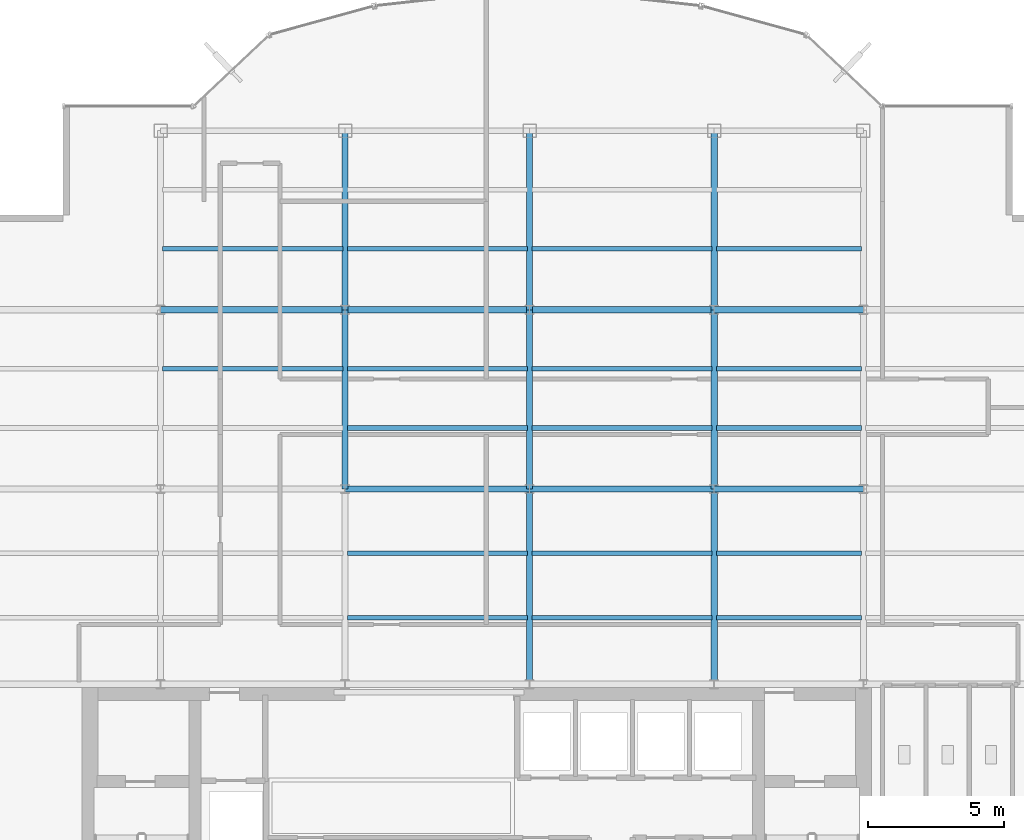
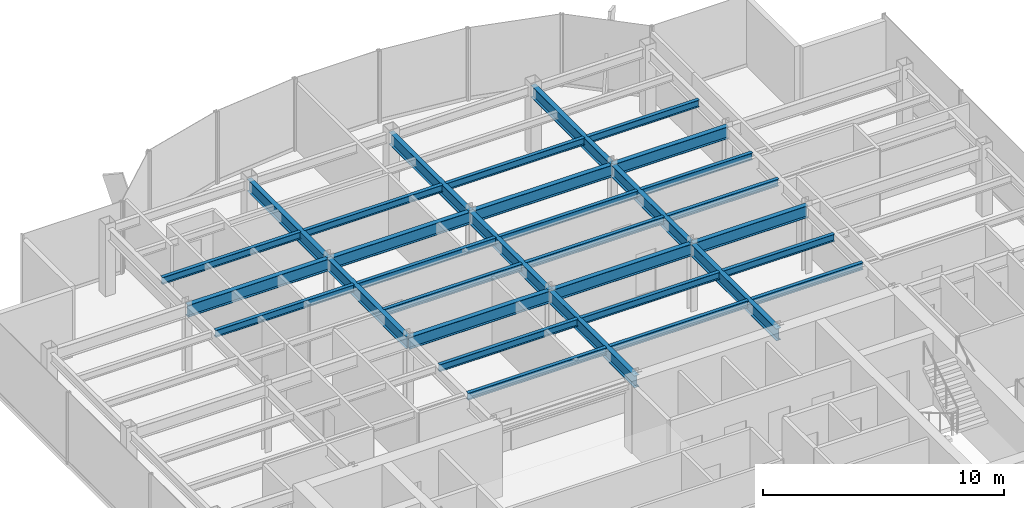
# One storey, part 8 of 22: 32 beams.
"""IFC4 building model written with IfcOpenShell, lengths in metres."""

from ifc_helpers import new_model, si_unit, derived_unit, direction, frame, origin, origin_2d, place, context, subcontext, project, spatial, i_section, extrude, source, transform, mapped, material, material_profile, profile_set, type_object, element, save


model = new_model("IFC4")

# Units and contexts
model_context = context("Model", 3, precision=1e-05, world=origin(), true_north=direction((0.0, 1.0)))
body_context = subcontext(model_context, "Body", "Model", "MODEL_VIEW")
ifc_project = project(units=[si_unit("LENGTHUNIT", "METRE"), si_unit("AREAUNIT", "SQUARE_METRE"), si_unit("VOLUMEUNIT", "CUBIC_METRE"), si_unit("PLANEANGLEUNIT", "RADIAN"), si_unit("MASSUNIT", "GRAM", prefix="KILO"), derived_unit("THERMALTRANSMITTANCEUNIT", [(si_unit("POWERUNIT", "WATT"), 1), (si_unit("LENGTHUNIT", "METRE"), -2), (si_unit("THERMODYNAMICTEMPERATUREUNIT", "KELVIN"), -1)])], contexts=[model_context])

# Site, building, storey
site_placement = place(None, origin())
site = spatial("IfcSite", under=ifc_project, at=site_placement, CompositionType="ELEMENT")
building_placement = place(site_placement, origin())
building = spatial("IfcBuilding", under=site, at=building_placement, Name="Skarnbrae Concourse Arena and Tower", CompositionType="ELEMENT")
storey_placement = place(building_placement, frame((0.0, 0.0, 210.5)))
storey = spatial("IfcBuildingStorey", under=building, at=storey_placement, Name="L54", CompositionType="ELEMENT", Elevation=210.5)

# Beams
ifc_material = material(Name="Steel CSA G40.21 350W", Category="steel")
ifc_material_profile_1 = material_profile(ifc_material, i_section(OverallWidth=0.22802734375, OverallDepth=0.60791015625, WebThickness=0.01123046875, FlangeThickness=0.017333984375, at=origin_2d()), Name="W610X113")
ifc_profile_set_1 = profile_set([ifc_material_profile_1], Name="Steel CSA G40.21 350W")
beam_type_1 = type_object("IfcBeamType", Name="BM-GIRD-W610X113", PredefinedType="BEAM", material=ifc_profile_set_1)
shared_shape_1 = source(origin(), body_context, "Body", "SweptSolid", [
    extrude(i_section(OverallWidth=0.22802734375, OverallDepth=0.60791015625, WebThickness=0.01123046875, FlangeThickness=0.017333984375, at=origin_2d()), origin(), (0.0, 0.0, 1.0), 6.60009765625),
])
for number, where, z_axis, x_axis, name in (
    (1, (14.39990234375, 21.199951171875, 3.095947265625), (0.0, 1.0, 0.0), (-1.0, 0.0, 0.0), "L54 Primary N-S girder X14.4-2"),
    (2, (21.199951171875, 21.199951171875, 3.095947265625), (0.0, 1.0, 0.0), (-1.0, 0.0, 0.0), "L54 Primary N-S girder X21.2-2"),
    (3, (28.0, 21.199951171875, 3.095947265625), (0.0, 1.0, 0.0), (-1.0, 0.0, 0.0), "L54 Primary N-S girder X28.0-2"),
):
    element("IfcBeam", number, at=place(storey_placement, frame(where, z_axis=z_axis, x_axis=x_axis)), inside=storey, type_object=beam_type_1, Name=name, PredefinedType="BEAM", context=body_context, shape_type="MappedRepresentation", body=[
        mapped(shared_shape_1, transform((0.0, 0.0, 0.0))),
    ])
shared_shape_2 = source(origin(), body_context, "Body", "SweptSolid", [
    extrude(i_section(OverallWidth=0.22802734375, OverallDepth=0.60791015625, WebThickness=0.01123046875, FlangeThickness=0.017333984375, at=origin_2d()), origin(), (0.0, 0.0, 1.0), 6.7998046875),
])
beam_placement = place(storey_placement, frame((7.60009765625, 27.800048828125, 3.095947265625), z_axis=(1.0, 0.0, 0.0), x_axis=(0.0, 1.0, 0.0)))
element("IfcBeam", 4, at=beam_placement, inside=storey, type_object=beam_type_1, Name="L54 Primary E-W girder Y27.8-2", PredefinedType="BEAM", context=body_context, shape_type="MappedRepresentation", body=[
    mapped(shared_shape_2, transform((0.0, 0.0, 0.0))),
])
shared_shape_3 = source(origin(), body_context, "Body", "SweptSolid", [
    extrude(i_section(OverallWidth=0.22802734375, OverallDepth=0.60791015625, WebThickness=0.01123046875, FlangeThickness=0.017333984375, at=origin_2d()), origin(), (0.0, 0.0, 1.0), 6.800048828125),
])
for number, where, z_axis, x_axis, name in (
    (5, (14.39990234375, 21.199951171875, 3.095947265625), (1.0, 0.0, 0.0), (0.0, 1.0, 0.0), "L54 Primary E-W girder Y21.2-3"),
    (6, (21.199951171875, 21.199951171875, 3.095947265625), (1.0, 0.0, 0.0), (0.0, 1.0, 0.0), "L54 Primary E-W girder Y21.2-4"),
    (7, (14.39990234375, 27.800048828125, 3.095947265625), (1.0, 0.0, 0.0), (0.0, 1.0, 0.0), "L54 Primary E-W girder Y27.8-3"),
    (8, (21.199951171875, 27.800048828125, 3.095947265625), (1.0, 0.0, 0.0), (0.0, 1.0, 0.0), "L54 Primary E-W girder Y27.8-4"),
):
    element("IfcBeam", number, at=place(storey_placement, frame(where, z_axis=z_axis, x_axis=x_axis)), inside=storey, type_object=beam_type_1, Name=name, PredefinedType="BEAM", context=body_context, shape_type="MappedRepresentation", body=[
        mapped(shared_shape_3, transform((0.0, 0.0, 0.0))),
    ])
shared_shape_4 = source(origin(), body_context, "Body", "SweptSolid", [
    extrude(i_section(OverallWidth=0.22802734375, OverallDepth=0.60791015625, WebThickness=0.01123046875, FlangeThickness=0.017333984375, at=origin_2d()), origin(), (0.0, 0.0, 1.0), 5.5),
])
for number, where, z_axis, x_axis, name in (
    (9, (28.0, 21.199951171875, 3.095947265625), (1.0, 0.0, 0.0), (0.0, 1.0, 0.0), "L54 Primary E-W girder Y21.2-5"),
    (10, (28.0, 27.800048828125, 3.095947265625), (1.0, 0.0, 0.0), (0.0, 1.0, 0.0), "L54 Primary E-W girder Y27.8-5"),
):
    element("IfcBeam", number, at=place(storey_placement, frame(where, z_axis=z_axis, x_axis=x_axis)), inside=storey, type_object=beam_type_1, Name=name, PredefinedType="BEAM", context=body_context, shape_type="MappedRepresentation", body=[
        mapped(shared_shape_4, transform((0.0, 0.0, 0.0))),
    ])
shared_shape_5 = source(origin(), body_context, "Body", "SweptSolid", [
    extrude(i_section(OverallWidth=0.22802734375, OverallDepth=0.60791015625, WebThickness=0.01123046875, FlangeThickness=0.017333984375, at=origin_2d()), origin(), (0.0, 0.0, 1.0), 7.199951171875),
])
for number, where, z_axis, x_axis, name in (
    (11, (21.199951171875, 14.0, 3.095947265625), (0.0, 1.0, 0.0), (-1.0, 0.0, 0.0), "L54 Primary N-S girder X21.2-1"),
    (12, (28.0, 14.0, 3.095947265625), (0.0, 1.0, 0.0), (-1.0, 0.0, 0.0), "L54 Primary N-S girder X28.0-1"),
):
    element("IfcBeam", number, at=place(storey_placement, frame(where, z_axis=z_axis, x_axis=x_axis)), inside=storey, type_object=beam_type_1, Name=name, PredefinedType="BEAM", context=body_context, shape_type="MappedRepresentation", body=[
        mapped(shared_shape_5, transform((0.0, 0.0, 0.0))),
    ])
shared_shape_6 = source(origin(), body_context, "Body", "SweptSolid", [
    extrude(i_section(OverallWidth=0.22802734375, OverallDepth=0.60791015625, WebThickness=0.01123046875, FlangeThickness=0.017333984375, at=origin_2d()), origin(), (0.0, 0.0, 1.0), 6.599853515625),
])
for number, where, z_axis, x_axis, name in (
    (13, (14.39990234375, 27.800048828125, 3.095947265625), (0.0, 1.0, 0.0), (-1.0, 0.0, 0.0), "L54 Primary N-S girder X14.4-3"),
    (14, (21.199951171875, 27.800048828125, 3.095947265625), (0.0, 1.0, 0.0), (-1.0, 0.0, 0.0), "L54 Primary N-S girder X21.2-3"),
    (15, (28.0, 27.800048828125, 3.095947265625), (0.0, 1.0, 0.0), (-1.0, 0.0, 0.0), "L54 Primary N-S girder X28.0-3"),
):
    element("IfcBeam", number, at=place(storey_placement, frame(where, z_axis=z_axis, x_axis=x_axis)), inside=storey, type_object=beam_type_1, Name=name, PredefinedType="BEAM", context=body_context, shape_type="MappedRepresentation", body=[
        mapped(shared_shape_6, transform((0.0, 0.0, 0.0))),
    ])
ifc_material_profile_2 = material_profile(ifc_material, i_section(OverallWidth=0.1708984375, OverallDepth=0.35498046875, WebThickness=0.007080078125, FlangeThickness=0.01171875, at=origin_2d()), Name="W360X51")
ifc_profile_set_2 = profile_set([ifc_material_profile_2], Name="Steel CSA G40.21 350W")
beam_type_2 = type_object("IfcBeamType", Name="BM-JOIST-W360X51", PredefinedType="JOIST", material=ifc_profile_set_2)
shared_shape_7 = source(origin(), body_context, "Body", "SweptSolid", [
    extrude(i_section(OverallWidth=0.1708984375, OverallDepth=0.35498046875, WebThickness=0.007080078125, FlangeThickness=0.01171875, at=origin_2d()), origin(), (0.0, 0.0, 1.0), 6.64013671875),
])
for number, where, z_axis, x_axis, name in (
    (16, (14.47998046875, 16.447998046875, 3.222412109375), (1.0, 0.0, 0.0), (0.0, 1.0, 0.0), "L54 Secondary floor joist 1.1.3"),
    (17, (14.47998046875, 18.823974609375, 3.222412109375), (1.0, 0.0, 0.0), (0.0, 1.0, 0.0), "L54 Secondary floor joist 1.2.3"),
    (18, (14.47998046875, 23.444091796875, 3.222412109375), (1.0, 0.0, 0.0), (0.0, 1.0, 0.0), "L54 Secondary floor joist 2.1.3"),
    (19, (7.679931640625, 25.6220703125, 3.222412109375), (1.0, 0.0, 0.0), (0.0, 1.0, 0.0), "L54 Secondary floor joist 2.2.2"),
    (20, (14.47998046875, 25.6220703125, 3.222412109375), (1.0, 0.0, 0.0), (0.0, 1.0, 0.0), "L54 Secondary floor joist 2.2.3"),
    (21, (7.679931640625, 30.0439453125, 3.222412109375), (1.0, 0.0, 0.0), (0.0, 1.0, 0.0), "L54 Secondary floor joist 3.1.1"),
    (22, (14.47998046875, 30.0439453125, 3.222412109375), (1.0, 0.0, 0.0), (0.0, 1.0, 0.0), "L54 Secondary floor joist 3.1.2"),
):
    element("IfcBeam", number, at=place(storey_placement, frame(where, z_axis=z_axis, x_axis=x_axis)), inside=storey, type_object=beam_type_2, Name=name, PredefinedType="JOIST", context=body_context, shape_type="MappedRepresentation", body=[
        mapped(shared_shape_7, transform((0.0, 0.0, 0.0))),
    ])
shared_shape_8 = source(origin(), body_context, "Body", "SweptSolid", [
    extrude(i_section(OverallWidth=0.1708984375, OverallDepth=0.35498046875, WebThickness=0.007080078125, FlangeThickness=0.01171875, at=origin_2d()), origin(), (0.0, 0.0, 1.0), 6.639892578125),
])
for number, where, z_axis, x_axis, name in (
    (23, (21.280029296875, 16.447998046875, 3.222412109375), (1.0, 0.0, 0.0), (0.0, 1.0, 0.0), "L54 Secondary floor joist 1.1.4"),
    (24, (21.280029296875, 18.823974609375, 3.222412109375), (1.0, 0.0, 0.0), (0.0, 1.0, 0.0), "L54 Secondary floor joist 1.2.4"),
    (25, (21.280029296875, 23.444091796875, 3.222412109375), (1.0, 0.0, 0.0), (0.0, 1.0, 0.0), "L54 Secondary floor joist 2.1.4"),
    (26, (21.280029296875, 25.6220703125, 3.222412109375), (1.0, 0.0, 0.0), (0.0, 1.0, 0.0), "L54 Secondary floor joist 2.2.4"),
    (27, (21.280029296875, 30.0439453125, 3.222412109375), (1.0, 0.0, 0.0), (0.0, 1.0, 0.0), "L54 Secondary floor joist 3.1.3"),
):
    element("IfcBeam", number, at=place(storey_placement, frame(where, z_axis=z_axis, x_axis=x_axis)), inside=storey, type_object=beam_type_2, Name=name, PredefinedType="JOIST", context=body_context, shape_type="MappedRepresentation", body=[
        mapped(shared_shape_8, transform((0.0, 0.0, 0.0))),
    ])
shared_shape_9 = source(origin(), body_context, "Body", "SweptSolid", [
    extrude(i_section(OverallWidth=0.1708984375, OverallDepth=0.35498046875, WebThickness=0.007080078125, FlangeThickness=0.01171875, at=origin_2d()), origin(), (0.0, 0.0, 1.0), 5.33984375),
])
for number, where, z_axis, x_axis, name in (
    (28, (28.080078125, 16.447998046875, 3.222412109375), (1.0, 0.0, 0.0), (0.0, 1.0, 0.0), "L54 Secondary floor joist 1.1.5"),
    (29, (28.080078125, 18.823974609375, 3.222412109375), (1.0, 0.0, 0.0), (0.0, 1.0, 0.0), "L54 Secondary floor joist 1.2.5"),
    (30, (28.080078125, 23.444091796875, 3.222412109375), (1.0, 0.0, 0.0), (0.0, 1.0, 0.0), "L54 Secondary floor joist 2.1.5"),
    (31, (28.080078125, 25.6220703125, 3.222412109375), (1.0, 0.0, 0.0), (0.0, 1.0, 0.0), "L54 Secondary floor joist 2.2.5"),
    (32, (28.080078125, 30.0439453125, 3.222412109375), (1.0, 0.0, 0.0), (0.0, 1.0, 0.0), "L54 Secondary floor joist 3.1.4"),
):
    element("IfcBeam", number, at=place(storey_placement, frame(where, z_axis=z_axis, x_axis=x_axis)), inside=storey, type_object=beam_type_2, Name=name, PredefinedType="JOIST", context=body_context, shape_type="MappedRepresentation", body=[
        mapped(shared_shape_9, transform((0.0, 0.0, 0.0))),
    ])

save(model, "model.ifc")
